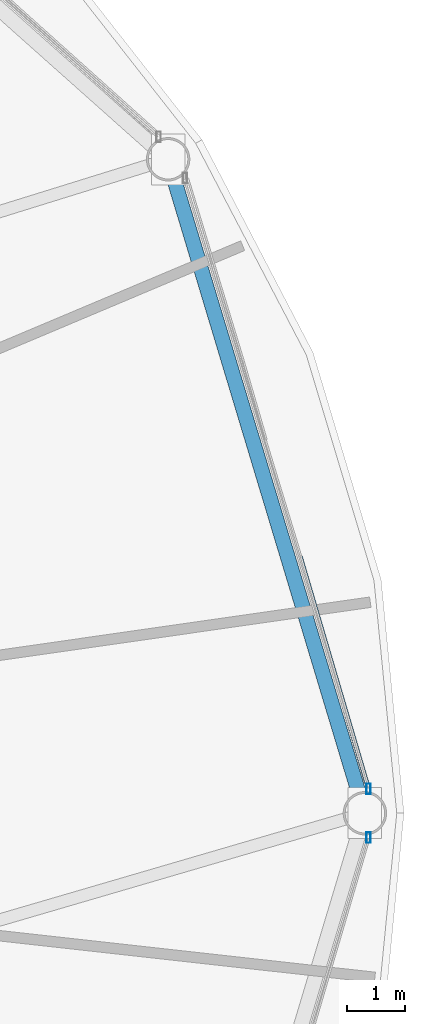
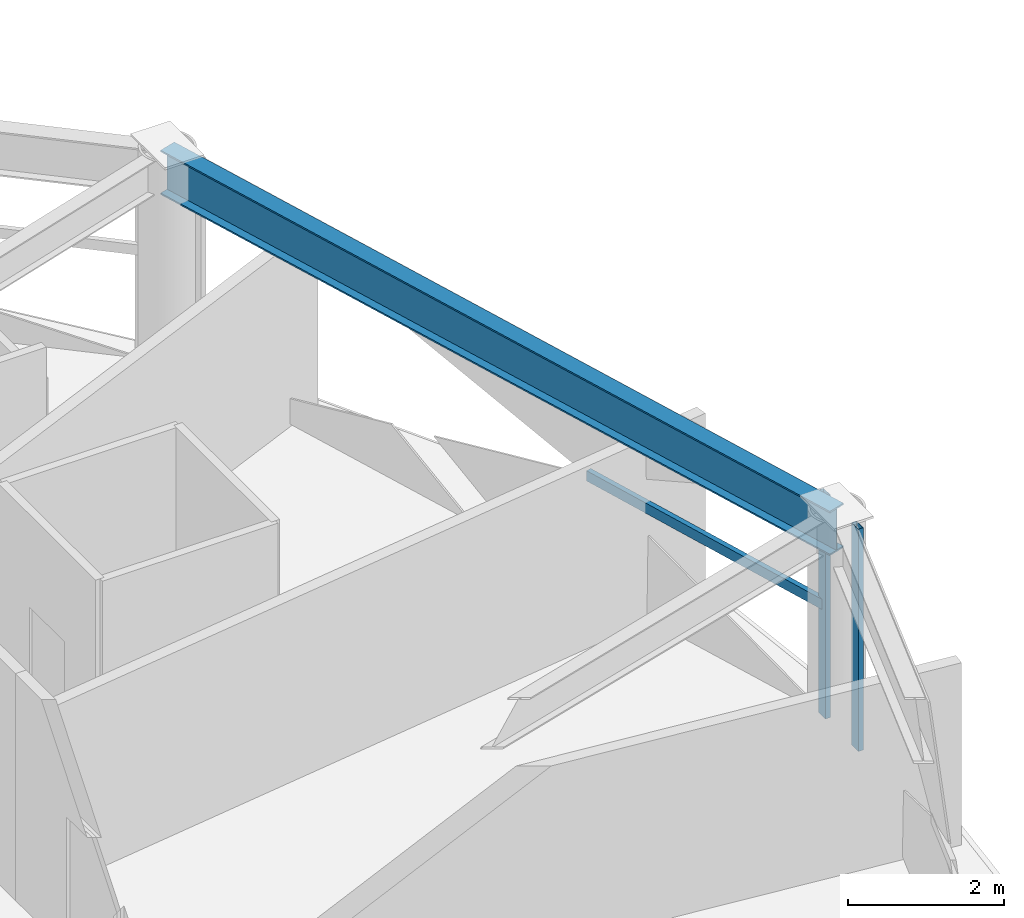
# One storey, part 13 of 31: 3 members, 1 beam, 2 elements without a shape of their own.
"""IFC4 building model written with IfcOpenShell, lengths in metres."""

from ifc_helpers import new_model, si_unit, direction, frame, origin, origin_2d, place, context, subcontext, project, spatial, hollow_rectangle, i_section, extrude, material, layer, layer_set, material_profile, profile_set, type_object, element, aggregate, save


model = new_model("IFC4")

# Units and contexts
model_context = context("Model", 3, precision=1e-05, world=origin(), true_north=direction((0.0, 1.0)))
body_context = subcontext(model_context, "Body", "Model", "MODEL_VIEW")
ifc_project = project(units=[si_unit("LENGTHUNIT", "METRE"), si_unit("AREAUNIT", "SQUARE_METRE"), si_unit("VOLUMEUNIT", "CUBIC_METRE"), si_unit("PLANEANGLEUNIT", "RADIAN"), si_unit("MASSUNIT", "GRAM", prefix="KILO")], contexts=[model_context])

# Site, building, storey
site_placement = place(None, origin())
site = spatial("IfcSite", under=ifc_project, at=site_placement, CompositionType="ELEMENT")
building_placement = place(site_placement, origin())
building = spatial("IfcBuilding", under=site, at=building_placement, Name="Vantalir Tower", CompositionType="ELEMENT")
storey_placement = place(building_placement, frame((0.0, 0.0, 123.449951171875)))
storey = spatial("IfcBuildingStorey", under=building, at=storey_placement, Name="L30", CompositionType="ELEMENT", Elevation=123.449951171875)

# Beam
ifc_material_1 = material(Name="Steel S460", Category="steel")
ifc_material_profile_1 = material_profile(ifc_material_1, i_section(OverallWidth=0.256103515625, OverallDepth=0.693115234375, WebThickness=0.014404296875, FlangeThickness=0.023681640625, at=origin_2d()), Name="Steel S460")
ifc_profile_set_1 = profile_set([ifc_material_profile_1], Name="Steel S460")
beam_type = type_object("IfcBeamType", Name="BM-RG-686x254", PredefinedType="USERDEFINED", material=ifc_profile_set_1)
beam_placement = place(storey_placement, frame((56.840087890625, 25.0, 3.22314453125), z_axis=(-0.288136680777, 0.957589292542, 0.0), x_axis=(-0.957589292542, -0.288136680777, 0.0)))
element("IfcBeam", 1, at=beam_placement, inside=storey, type_object=beam_type, Name="L30 Circumferential Ring Girder 01", ObjectType="GIRDER", PredefinedType="USERDEFINED", context=body_context, shape_type="SweptSolid", body=[
    extrude(i_section(OverallWidth=0.256103515625, OverallDepth=0.693115234375, WebThickness=0.014404296875, FlangeThickness=0.023681640625, at=origin_2d()), origin(), (0.0, 0.0, 1.0), 11.78271484375),
])

# Curtain wall, member
ifc_material_2 = material(Name="Champagne-silver PVDF aluminium and double-silver Low-E glass", Category="aluminium")
ifc_layer = layer(ifc_material_2, 0.199951171875)
ifc_layer_set = layer_set([ifc_layer], Name="Champagne-silver PVDF aluminium and double-silver Low-E glass")
curtain_wall_type = type_object("IfcCurtainWallType", Name="CW-DIAMOND-Z2", PredefinedType="USERDEFINED", material=ifc_layer_set)
curtain_wall_1_placement = place(storey_placement, origin())
curtain_wall_1 = element("IfcCurtainWall", 2, at=curtain_wall_1_placement, inside=storey, type_object=curtain_wall_type, Name="L30 Quilted Pyramid-Diamond Curtain Wall S01", ObjectType="UNITISED CURTAIN WALL", PredefinedType="USERDEFINED")
ifc_material_3 = material(Name="Champagne-silver PVDF aluminium 6063-T6", Category="aluminium")
ifc_material_profile_2 = material_profile(ifc_material_3, hollow_rectangle(XDim=0.074951171875, YDim=0.179931640625, WallThickness=0.00390625, at=origin_2d()), Name="Champagne-silver PVDF aluminium 6063-T6")
ifc_profile_set_2 = profile_set([ifc_material_profile_2], Name="Champagne-silver PVDF aluminium 6063-T6")
member_type_1 = type_object("IfcMemberType", Name="CWM-180x75", PredefinedType="MULLION", material=ifc_profile_set_2)
member_1_placement = place(storey_placement, frame((56.903076171875, 25.4208984375, 0.045166015625), z_axis=(0.0, 0.0, 1.0), x_axis=(1.0, 0.0, 0.0)))
member_1 = element("IfcMember", 3, at=member_1_placement, type_object=member_type_1, Name="CW-L30-S01 Mullion 1", PredefinedType="MULLION", context=body_context, shape_type="SweptSolid", body=[
    extrude(hollow_rectangle(XDim=0.074951171875, YDim=0.179931640625, WallThickness=0.00390625, at=origin_2d()), origin(), (0.0, 0.0, 1.0), 3.47998046875),
])

curtain_wall_2_placement = place(storey_placement, origin())
curtain_wall_2 = element("IfcCurtainWall", 4, at=curtain_wall_2_placement, inside=storey, type_object=curtain_wall_type, Name="L30 Quilted Pyramid-Diamond Curtain Wall S12", ObjectType="UNITISED CURTAIN WALL", PredefinedType="USERDEFINED")
member_2_placement = place(storey_placement, frame((56.903076171875, 24.5791015625, 0.045166015625), z_axis=(0.0, 0.0, 1.0), x_axis=(1.0, 0.0, 0.0)))
member_2 = element("IfcMember", 5, at=member_2_placement, type_object=member_type_1, Name="CW-L30-S12 Mullion 2", PredefinedType="MULLION", context=body_context, shape_type="SweptSolid", body=[
    extrude(hollow_rectangle(XDim=0.074951171875, YDim=0.179931640625, WallThickness=0.00390625, at=origin_2d()), origin(), (0.0, 0.0, 1.0), 3.47998046875),
])
aggregate(curtain_wall_2, [member_2])

# Member
ifc_material_profile_3 = material_profile(ifc_material_3, hollow_rectangle(XDim=0.074951171875, YDim=0.159912109375, WallThickness=0.00390625, at=origin_2d()), Name="Champagne-silver PVDF aluminium 6063-T6")
ifc_profile_set_3 = profile_set([ifc_material_profile_3], Name="Champagne-silver PVDF aluminium 6063-T6")
member_type_2 = type_object("IfcMemberType", Name="CWT-160x75", PredefinedType="USERDEFINED", material=ifc_profile_set_3)
member_3_placement = place(storey_placement, frame((56.903076171875, 25.4208984375, 1.78515625), z_axis=(-0.282191634129, 0.95935805705, 0.0), x_axis=(-0.95935805705, -0.282191634129, 0.0)))
member_3 = element("IfcMember", 6, at=member_3_placement, type_object=member_type_2, Name="CW-L30-S01 Pyramid Fold Ridge Transom", ObjectType="TRANSOM", PredefinedType="USERDEFINED", context=body_context, shape_type="SweptSolid", body=[
    extrude(hollow_rectangle(XDim=0.074951171875, YDim=0.159912109375, WallThickness=0.00390625, at=origin_2d()), origin(), (0.0, 0.0, 1.0), 4.177734375),
])

aggregate(curtain_wall_1, [member_1, member_3])

save(model, "model.ifc")
